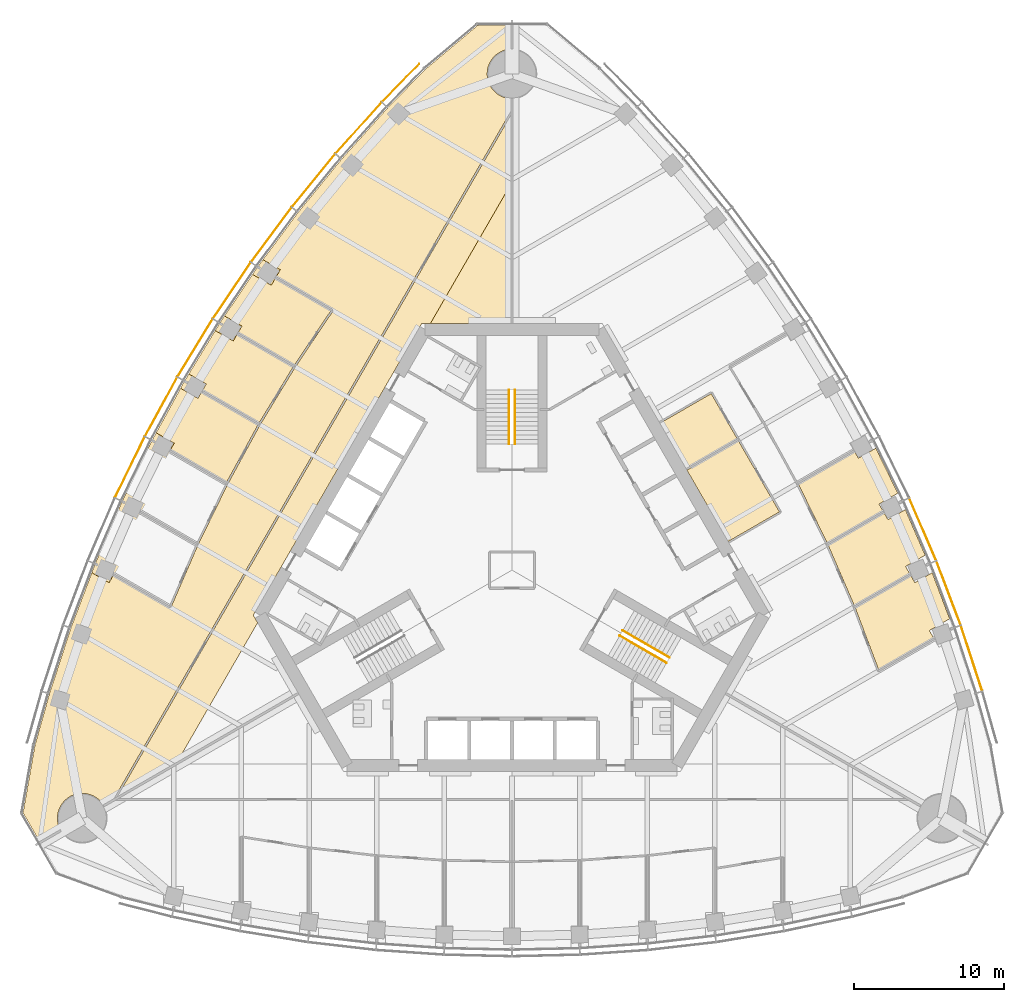
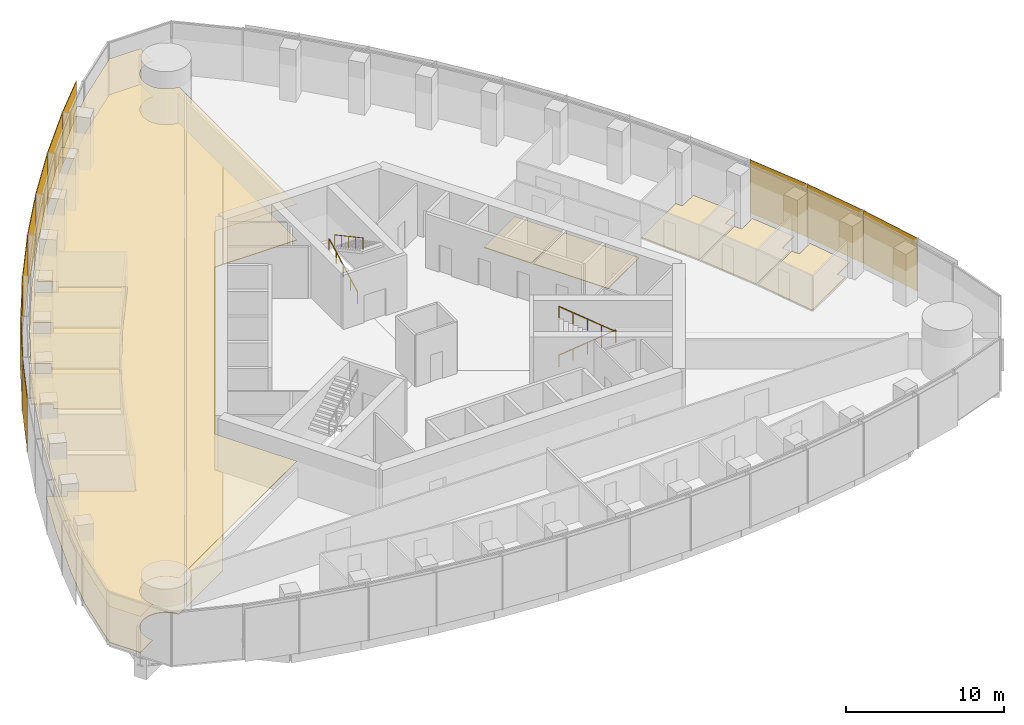
# One storey, part 17 of 20: 12 coverings, 11 shading devices, 4 railings.
"""IFC4 building model written with IfcOpenShell, lengths in metres."""

from ifc_helpers import new_model, si_unit, direction, frame, origin, origin_2d, place, context, subcontext, project, spatial, polyline, rectangle, circle, outline, extrude, material, layer, layer_set, type_object, element, save


model = new_model("IFC4")

# Units and contexts
model_context = context("Model", 3, precision=1e-05, world=origin(), true_north=direction((0.0, 1.0)))
body_context = subcontext(model_context, "Body", "Model", "MODEL_VIEW")
ifc_project = project(units=[si_unit("LENGTHUNIT", "METRE"), si_unit("AREAUNIT", "SQUARE_METRE"), si_unit("VOLUMEUNIT", "CUBIC_METRE"), si_unit("PLANEANGLEUNIT", "RADIAN"), si_unit("MASSUNIT", "GRAM", prefix="KILO")], contexts=[model_context])

# Site, building, storey
site_placement = place(None, origin())
site = spatial("IfcSite", under=ifc_project, at=site_placement, CompositionType="ELEMENT")
building_placement = place(site_placement, origin())
building = spatial("IfcBuilding", under=site, at=building_placement, Name="Trefoil Bronze Tower", CompositionType="ELEMENT")
storey_placement = place(building_placement, frame((0.0, 0.0, 214.89990234375)))
storey = spatial("IfcBuildingStorey", under=building, at=storey_placement, Name="L49", CompositionType="ELEMENT", Elevation=214.89990234375)

# Shading devices
ifc_material_1 = material(Name="Perforated bronze sheet", Category="bronze")
ifc_layer_1 = layer(ifc_material_1, 0.0400390625)
ifc_layer_set_1 = layer_set([ifc_layer_1], Name="Bronze solar screen panel")
shading_device_type = type_object("IfcShadingDeviceType", Name="Bronze solar screen panel", PredefinedType="SHUTTER", material=ifc_layer_set_1)
shading_device_1_placement = place(storey_placement, frame((30.5634765625, -5.86572265625, 0.050048828125), z_axis=(0.0, 0.0, 1.0), x_axis=(-0.310148591821, 0.950688093431, 0.0)))
element("IfcShadingDevice", 1, at=shading_device_1_placement, inside=storey, type_object=shading_device_type, Name="Solar screen CW-A L49 F2 bay 2", PredefinedType="SHUTTER", context=body_context, shape_type="SweptSolid", body=[
    extrude(rectangle(XDim=4.5693359375, YDim=0.0400390625, at=origin_2d()), origin(), (0.0, 0.0, 1.0), 4.10009765625),
])
shading_device_2_placement = place(storey_placement, frame((29.0341796875, -1.52392578125, 0.050048828125), z_axis=(0.0, 0.0, 1.0), x_axis=(-0.354233936517, 0.935156841508, 0.0)))
element("IfcShadingDevice", 2, at=shading_device_2_placement, inside=storey, type_object=shading_device_type, Name="Solar screen CW-A L49 F2 bay 3", PredefinedType="SHUTTER", context=body_context, shape_type="SweptSolid", body=[
    extrude(rectangle(XDim=4.529296875, YDim=0.0400390625, at=origin_2d()), origin(), (0.0, 0.0, 1.0), 4.10009765625),
])
shading_device_3_placement = place(storey_placement, frame((27.317626953125, 2.709716796875, 0.050048828125), z_axis=(0.0, 0.0, 1.0), x_axis=(-0.397220305764, 0.917723285467, 0.0)))
element("IfcShadingDevice", 3, at=shading_device_3_placement, inside=storey, type_object=shading_device_type, Name="Solar screen CW-A L49 F2 bay 4", PredefinedType="SHUTTER", context=body_context, shape_type="SweptSolid", body=[
    extrude(rectangle(XDim=4.5, YDim=0.0400390625, at=origin_2d()), origin(), (0.0, 0.0, 1.0), 4.10009765625),
])
shading_device_4_placement = place(storey_placement, frame((-7.40478515625, 32.40380859375, 0.050048828125), z_axis=(0.0, 0.0, 1.0), x_axis=(-0.698651812425, -0.715461840349, 0.0)))
element("IfcShadingDevice", 4, at=shading_device_4_placement, inside=storey, type_object=shading_device_type, Name="Solar screen CW-A L49 F3 bay 1", PredefinedType="SHUTTER", context=body_context, shape_type="SweptSolid", body=[
    extrude(rectangle(XDim=3.53369140625, YDim=0.0400390625, at=origin_2d()), origin(), (0.0, 0.0, 1.0), 4.10009765625),
])
shading_device_5_placement = place(storey_placement, frame((-10.20166015625, 29.401611328125, 0.050048828125), z_axis=(0.0, 0.0, 1.0), x_axis=(-0.668245744076, -0.743940606181, 0.0)))
element("IfcShadingDevice", 5, at=shading_device_5_placement, inside=storey, type_object=shading_device_type, Name="Solar screen CW-A L49 F3 bay 2", PredefinedType="SHUTTER", context=body_context, shape_type="SweptSolid", body=[
    extrude(rectangle(XDim=4.5693359375, YDim=0.0400390625, at=origin_2d()), origin(), (0.0, 0.0, 1.0), 4.10009765625),
])
shading_device_6_placement = place(storey_placement, frame((-13.197509765625, 25.90625, 0.050048828125), z_axis=(0.0, 0.0, 1.0), x_axis=(-0.63275261301, -0.774354008661, 0.0)))
element("IfcShadingDevice", 6, at=shading_device_6_placement, inside=storey, type_object=shading_device_type, Name="Solar screen CW-A L49 F3 bay 3", PredefinedType="SHUTTER", context=body_context, shape_type="SweptSolid", body=[
    extrude(rectangle(XDim=4.529296875, YDim=0.0400390625, at=origin_2d()), origin(), (0.0, 0.0, 1.0), 4.10009765625),
])
shading_device_7_placement = place(storey_placement, frame((-16.005615234375, 22.302734375, 0.050048828125), z_axis=(0.0, 0.0, 1.0), x_axis=(-0.596161525977, -0.802864518425, 0.0)))
element("IfcShadingDevice", 7, at=shading_device_7_placement, inside=storey, type_object=shading_device_type, Name="Solar screen CW-A L49 F3 bay 4", PredefinedType="SHUTTER", context=body_context, shape_type="SweptSolid", body=[
    extrude(rectangle(XDim=4.5, YDim=0.0400390625, at=origin_2d()), origin(), (0.0, 0.0, 1.0), 4.10009765625),
])
shading_device_8_placement = place(storey_placement, frame((-18.6298828125, 18.59326171875, 0.050048828125), z_axis=(0.0, 0.0, 1.0), x_axis=(-0.558493494706, -0.829508900718, 0.0)))
element("IfcShadingDevice", 8, at=shading_device_8_placement, inside=storey, type_object=shading_device_type, Name="Solar screen CW-A L49 F3 bay 5", PredefinedType="SHUTTER", context=body_context, shape_type="SweptSolid", body=[
    extrude(rectangle(XDim=4.480712890625, YDim=0.0400390625, at=origin_2d()), origin(), (0.0, 0.0, 1.0), 4.10009765625),
])
for number, where, z_axis, x_axis, name in (
    (9, (-21.07275390625, 14.77880859375, 0.050048828125), (0.0, 0.0, 1.0), (-0.519762112739, -0.854311035959, 0.0), "Solar screen CW-A L49 F3 bay 6"),
    (10, (-23.3349609375, 10.860107421875, 0.050048828125), (0.0, 0.0, 1.0), (-0.479974003504, -0.877282711536, 0.0), "Solar screen CW-A L49 F3 bay 7"),
):
    element("IfcShadingDevice", number, at=place(storey_placement, frame(where, z_axis=z_axis, x_axis=x_axis)), inside=storey, type_object=shading_device_type, Name=name, PredefinedType="SHUTTER", context=body_context, shape_type="SweptSolid", body=[
        extrude(rectangle(XDim=4.47119140625, YDim=0.0400390625, at=origin_2d()), origin(), (0.0, 0.0, 1.0), 4.10009765625),
    ])
shading_device_9_placement = place(storey_placement, frame((-25.4169921875, 6.83740234375, 0.050048828125), z_axis=(0.0, 0.0, 1.0), x_axis=(-0.439129033334, -0.898424004623, 0.0)))
element("IfcShadingDevice", 11, at=shading_device_9_placement, inside=storey, type_object=shading_device_type, Name="Solar screen CW-A L49 F3 bay 8", PredefinedType="SHUTTER", context=body_context, shape_type="SweptSolid", body=[
    extrude(rectangle(XDim=4.480712890625, YDim=0.0400390625, at=origin_2d()), origin(), (0.0, 0.0, 1.0), 4.10009765625),
])

# Railings
ifc_material_2 = material(Name="Steel handrail", Category="steel")
railing_type = type_object("IfcRailingType", Name="Handrail 900", PredefinedType="HANDRAIL", material=ifc_material_2)
railing_1_placement = place(storey_placement, frame((7.365966796875, -4.021728515625, 0.16162109375)))
element("IfcRailing", 12, at=railing_1_placement, inside=storey, type_object=railing_type, Name="Handrail ST1 flight 1 L49", PredefinedType="HANDRAIL", context=body_context, shape_type="SweptSolid", body=[
    extrude(circle(Radius=0.02392578125, at=origin_2d()), frame((0.0, 0.0, 0.8759765625), z_axis=(0.76250339821, -0.440245697338, 0.474101564745), x_axis=(0.500012057535, 0.866018442252, 0.0)), (0.0, 0.0, 1.0), 4.088623046875),
    extrude(circle(Radius=0.02099609375, at=origin_2d()), origin(), (0.0, 0.0, 1.0), 0.851806640625),
    extrude(circle(Radius=0.02099609375, at=origin_2d()), frame((0.779296875, -0.449951171875, 0.484619140625)), (0.0, 0.0, 1.0), 0.851806640625),
    extrude(circle(Radius=0.02099609375, at=origin_2d()), frame((1.558837890625, -0.89990234375, 0.96923828125)), (0.0, 0.0, 1.0), 0.851806640625),
    extrude(circle(Radius=0.02099609375, at=origin_2d()), frame((2.33837890625, -1.35009765625, 1.453857421875)), (0.0, 0.0, 1.0), 0.851806640625),
    extrude(circle(Radius=0.02099609375, at=origin_2d()), frame((3.11767578125, -1.800048828125, 1.9384765625)), (0.0, 0.0, 1.0), 0.851806640625),
])
railing_2_placement = place(storey_placement, frame((10.28369140625, -6.168212890625, 2.26171875)))
element("IfcRailing", 13, at=railing_2_placement, inside=storey, type_object=railing_type, Name="Handrail ST1 flight 2 L49", PredefinedType="HANDRAIL", context=body_context, shape_type="SweptSolid", body=[
    extrude(circle(Radius=0.02392578125, at=origin_2d()), frame((0.0, 0.0, 0.8759765625), z_axis=(-0.76250339821, 0.440245697338, 0.474101564745), x_axis=(-0.500012057535, -0.866018442252, 0.0)), (0.0, 0.0, 1.0), 4.088623046875),
    extrude(circle(Radius=0.02099609375, at=origin_2d()), origin(), (0.0, 0.0, 1.0), 0.851806640625),
    extrude(circle(Radius=0.02099609375, at=origin_2d()), frame((-0.779296875, 0.449951171875, 0.484619140625)), (0.0, 0.0, 1.0), 0.851806640625),
    extrude(circle(Radius=0.02099609375, at=origin_2d()), frame((-1.558837890625, 0.89990234375, 0.96923828125)), (0.0, 0.0, 1.0), 0.851806640625),
    extrude(circle(Radius=0.02099609375, at=origin_2d()), frame((-2.33837890625, 1.35009765625, 1.453857421875)), (0.0, 0.0, 1.0), 0.851806640625),
    extrude(circle(Radius=0.02099609375, at=origin_2d()), frame((-3.11767578125, 1.800048828125, 1.9384765625)), (0.0, 0.0, 1.0), 0.851806640625),
])
railing_3_placement = place(storey_placement, frame((-0.199951171875, 8.389892578125, 0.16162109375)))
element("IfcRailing", 14, at=railing_3_placement, inside=storey, type_object=railing_type, Name="Handrail ST2 flight 1 L49", PredefinedType="HANDRAIL", context=body_context, shape_type="SweptSolid", body=[
    extrude(circle(Radius=0.02392578125, at=origin_2d()), frame((0.0, 0.0, 0.8759765625), z_axis=(0.0, 0.880474934443, 0.474092701714), x_axis=(-1.0, 0.0, 0.0)), (0.0, 0.0, 1.0), 4.0888671875),
    extrude(circle(Radius=0.02099609375, at=origin_2d()), origin(), (0.0, 0.0, 1.0), 0.851806640625),
    extrude(circle(Radius=0.02099609375, at=origin_2d()), frame((0.0, 0.89990234375, 0.484619140625)), (0.0, 0.0, 1.0), 0.851806640625),
    extrude(circle(Radius=0.02099609375, at=origin_2d()), frame((0.0, 1.800048828125, 0.96923828125)), (0.0, 0.0, 1.0), 0.851806640625),
    extrude(circle(Radius=0.02099609375, at=origin_2d()), frame((0.0, 2.7001953125, 1.453857421875)), (0.0, 0.0, 1.0), 0.851806640625),
    extrude(circle(Radius=0.02099609375, at=origin_2d()), frame((0.0, 3.60009765625, 1.9384765625)), (0.0, 0.0, 1.0), 0.851806640625),
])
railing_4_placement = place(storey_placement, frame((0.199951171875, 11.989990234375, 2.26171875)))
element("IfcRailing", 15, at=railing_4_placement, inside=storey, type_object=railing_type, Name="Handrail ST2 flight 2 L49", PredefinedType="HANDRAIL", context=body_context, shape_type="SweptSolid", body=[
    extrude(circle(Radius=0.02392578125, at=origin_2d()), frame((0.0, 0.0, 0.8759765625), z_axis=(0.0, -0.880474934443, 0.474092701714), x_axis=(1.0, 0.0, 0.0)), (0.0, 0.0, 1.0), 4.0888671875),
    extrude(circle(Radius=0.02099609375, at=origin_2d()), origin(), (0.0, 0.0, 1.0), 0.851806640625),
    extrude(circle(Radius=0.02099609375, at=origin_2d()), frame((0.0, -0.89990234375, 0.484619140625)), (0.0, 0.0, 1.0), 0.851806640625),
    extrude(circle(Radius=0.02099609375, at=origin_2d()), frame((0.0, -1.800048828125, 0.96923828125)), (0.0, 0.0, 1.0), 0.851806640625),
    extrude(circle(Radius=0.02099609375, at=origin_2d()), frame((0.0, -2.7001953125, 1.453857421875)), (0.0, 0.0, 1.0), 0.851806640625),
    extrude(circle(Radius=0.02099609375, at=origin_2d()), frame((0.0, -3.60009765625, 1.9384765625)), (0.0, 0.0, 1.0), 0.851806640625),
])

# Coverings
ifc_material_3 = material(Name="Acoustic ceiling panels", Category="mineral fibre")
ifc_layer_2 = layer(ifc_material_3, 0.02001953125)
ifc_layer_set_2 = layer_set([ifc_layer_2], Name="Office ceiling 20")
covering_type_1 = type_object("IfcCoveringType", Name="Office ceiling 20", PredefinedType="CEILING", material=ifc_layer_set_2)
covering_1_placement = place(storey_placement, frame((0.0, 0.0, 2.900146484375)))
element("IfcCovering", 16, at=covering_1_placement, inside=storey, type_object=covering_type_1, Name="Ceiling L49 Open-plan office F3", PredefinedType="CEILING", context=body_context, shape_type="SweptSolid", body=[
    extrude(outline(polyline([(-30.76318359375, -8.219482421875), (-29.3369140625, -3.846923828125), (-27.7216796875, 0.416748046875), (-25.92236328125, 4.573974609375), (-23.94140625, 8.62646484375), (-21.781005859375, 12.5751953125), (-19.44140625, 16.420654296875), (-16.92236328125, 20.162353515625), (-14.2216796875, 23.79931640625), (-11.3369140625, 27.329833984375), (-8.26318359375, 30.751708984375), (-5.7734375, 33.30126953125), (-2.280029296875, 36.232666015625), (-0.013671875, 36.232666015625), (-0.012939453125, 34.649658203125), (-0.0810546875, 34.64794921875), (-0.16162109375, 34.64208984375), (-0.2421875, 34.632080078125), (-0.322021484375, 34.618408203125), (-0.40087890625, 34.6005859375), (-0.47900390625, 34.5791015625), (-0.555908203125, 34.553466796875), (-0.63134765625, 34.5244140625), (-0.70556640625, 34.49169921875), (-0.77783203125, 34.455078125), (-0.848388671875, 34.415283203125), (-0.916748046875, 34.371826171875), (-0.98291015625, 34.3251953125), (-1.046630859375, 34.275390625), (-1.108154296875, 34.22265625), (-1.166748046875, 34.166748046875), (-1.22265625, 34.108154296875), (-1.275390625, 34.046630859375), (-1.3251953125, 33.98291015625), (-1.371826171875, 33.916748046875), (-1.415283203125, 33.848388671875), (-1.455078125, 33.77783203125), (-1.49169921875, 33.70556640625), (-1.5244140625, 33.63134765625), (-1.553466796875, 33.555908203125), (-1.5791015625, 33.47900390625), (-1.6005859375, 33.40087890625), (-1.618408203125, 33.322021484375), (-1.632080078125, 33.2421875), (-1.64208984375, 33.16162109375), (-1.64794921875, 33.0810546875), (-1.64990234375, 33.0), (-1.64794921875, 32.9189453125), (-1.64208984375, 32.83837890625), (-1.632080078125, 32.7578125), (-1.618408203125, 32.677978515625), (-1.6005859375, 32.59912109375), (-1.5791015625, 32.52099609375), (-1.553466796875, 32.444091796875), (-1.5244140625, 32.36865234375), (-1.49169921875, 32.29443359375), (-1.455078125, 32.22216796875), (-1.415283203125, 32.151611328125), (-1.371826171875, 32.083251953125), (-1.3251953125, 32.01708984375), (-1.275390625, 31.953369140625), (-1.22265625, 31.891845703125), (-1.166748046875, 31.833251953125), (-1.108154296875, 31.77734375), (-1.046630859375, 31.724609375), (-0.98291015625, 31.6748046875), (-0.916748046875, 31.628173828125), (-0.848388671875, 31.584716796875), (-0.77783203125, 31.544921875), (-0.70556640625, 31.50830078125), (-0.63134765625, 31.4755859375), (-0.555908203125, 31.446533203125), (-0.47900390625, 31.4208984375), (-0.40087890625, 31.3994140625), (-0.322021484375, 31.381591796875), (-0.2421875, 31.367919921875), (-0.16162109375, 31.35791015625), (-0.0810546875, 31.35205078125), (-0.01171875, 31.350341796875), (-0.006103515625, 16.39990234375), (-6.00439453125, 16.39990234375), (-17.205078125, -3.0), (-14.205810546875, -8.194580078125), (-27.156005859375, -15.6650390625), (-27.206787109375, -15.583251953125), (-27.25341796875, -15.51708984375), (-27.303466796875, -15.453369140625), (-27.356201171875, -15.391845703125), (-27.412109375, -15.333251953125), (-27.470703125, -15.27734375), (-27.531982421875, -15.224609375), (-27.595947265625, -15.1748046875), (-27.662109375, -15.128173828125), (-27.730712890625, -15.084716796875), (-27.801025390625, -15.044921875), (-27.873291015625, -15.00830078125), (-27.947509765625, -14.9755859375), (-28.02294921875, -14.946533203125), (-28.099853515625, -14.9208984375), (-28.177978515625, -14.8994140625), (-28.2568359375, -14.881591796875), (-28.336669921875, -14.867919921875), (-28.4169921875, -14.85791015625), (-28.497802734375, -14.85205078125), (-28.578857421875, -14.85009765625), (-28.659912109375, -14.85205078125), (-28.740478515625, -14.85791015625), (-28.82080078125, -14.867919921875), (-28.900634765625, -14.881591796875), (-28.979736328125, -14.8994140625), (-29.057861328125, -14.9208984375), (-29.134765625, -14.946533203125), (-29.210205078125, -14.9755859375), (-29.2841796875, -15.00830078125), (-29.356689453125, -15.044921875), (-29.427001953125, -15.084716796875), (-29.49560546875, -15.128173828125), (-29.561767578125, -15.1748046875), (-29.62548828125, -15.224609375), (-29.68701171875, -15.27734375), (-29.74560546875, -15.333251953125), (-29.801513671875, -15.391845703125), (-29.854248046875, -15.453369140625), (-29.904052734375, -15.51708984375), (-29.95068359375, -15.583251953125), (-29.994140625, -15.651611328125), (-30.033935546875, -15.72216796875), (-30.0703125, -15.79443359375), (-30.103271484375, -15.86865234375), (-30.13232421875, -15.944091796875), (-30.15771484375, -16.02099609375), (-30.179443359375, -16.09912109375), (-30.197021484375, -16.177978515625), (-30.2109375, -16.2578125), (-30.220947265625, -16.33837890625), (-30.226806640625, -16.4189453125), (-30.228759765625, -16.5), (-30.226806640625, -16.5810546875), (-30.220947265625, -16.66162109375), (-30.2109375, -16.7421875), (-30.197021484375, -16.822021484375), (-30.179443359375, -16.90087890625), (-30.15771484375, -16.97900390625), (-30.13232421875, -17.055908203125), (-30.103271484375, -17.13134765625), (-30.0703125, -17.20556640625), (-30.033935546875, -17.27783203125), (-30.013916015625, -17.3134765625), (-31.385009765625, -18.1044921875), (-32.518310546875, -16.1416015625), (-31.7265625, -11.650634765625), (-30.76318359375, -8.219482421875)])), origin(), (0.0, 0.0, 1.0), 0.02001953125),
])
ifc_material_4 = material(Name="Raised access floor panels", Category="steel")
ifc_layer_3 = layer(ifc_material_4, 0.050048828125)
ifc_layer_set_3 = layer_set([ifc_layer_3], Name="Raised access floor 150")
covering_type_2 = type_object("IfcCoveringType", Name="Raised access floor 150", PredefinedType="FLOORING", material=ifc_layer_set_3)
covering_2_placement = place(storey_placement, frame((0.0, 0.0, 0.10009765625)))
element("IfcCovering", 17, at=covering_2_placement, inside=storey, type_object=covering_type_2, Name="Raised floor L49 Meeting room F2", PredefinedType="FLOORING", context=body_context, shape_type="SweptSolid", body=[
    extrude(outline(polyline([(11.634765625, 6.64794921875), (15.046875, 8.617919921875), (17.786865234375, 3.872314453125), (14.374755859375, 1.902099609375), (11.634765625, 6.64794921875)])), origin(), (0.0, 0.0, 1.0), 0.050048828125),
])
covering_3_placement = place(storey_placement, frame((0.0, 0.0, 0.10009765625)))
element("IfcCovering", 18, at=covering_3_placement, inside=storey, type_object=covering_type_2, Name="Raised floor L49 Meeting room F2", PredefinedType="FLOORING", context=body_context, shape_type="SweptSolid", body=[
    extrude(outline(polyline([(9.834716796875, 9.765625), (13.246826171875, 11.735595703125), (14.98681640625, 8.721923828125), (11.57470703125, 6.751953125), (9.834716796875, 9.765625)])), origin(), (0.0, 0.0, 1.0), 0.050048828125),
])
covering_4_placement = place(storey_placement, frame((0.0, 0.0, 0.10009765625)))
element("IfcCovering", 19, at=covering_4_placement, inside=storey, type_object=covering_type_2, Name="Raised floor L49 Office F2", PredefinedType="FLOORING", context=body_context, shape_type="SweptSolid", body=[
    extrude(outline(polyline([(24.677490234375, 3.924560546875), (20.968505859375, 1.783203125), (19.040283203125, 5.7275390625), (22.775146484375, 7.8837890625), (22.7451171875, 7.935791015625), (22.74951171875, 7.938232421875), (23.037353515625, 7.439697265625), (24.195068359375, 8.10791015625), (25.658447265625, 5.11376953125), (24.407958984375, 4.3916015625), (24.677490234375, 3.924560546875)])), origin(), (0.0, 0.0, 1.0), 0.050048828125),
])
covering_5_placement = place(storey_placement, frame((0.0, 0.0, 0.10009765625)))
element("IfcCovering", 20, at=covering_5_placement, inside=storey, type_object=covering_type_2, Name="Raised floor L49 Office F2", PredefinedType="FLOORING", context=body_context, shape_type="SweptSolid", body=[
    extrude(outline(polyline([(26.453857421875, -0.24609375), (22.7705078125, -2.372802734375), (21.01904296875, 1.673583984375), (24.737548828125, 3.820556640625), (25.007080078125, 3.353515625), (26.162109375, 4.020263671875), (27.47314453125, 0.990966796875), (26.173095703125, 0.240478515625), (26.453857421875, -0.24609375)])), origin(), (0.0, 0.0, 1.0), 0.050048828125),
])
covering_6_placement = place(storey_placement, frame((0.0, 0.0, 0.10009765625)))
element("IfcCovering", 21, at=covering_6_placement, inside=storey, type_object=covering_type_2, Name="Raised floor L49 Office F2", PredefinedType="FLOORING", context=body_context, shape_type="SweptSolid", body=[
    extrude(outline(polyline([(28.045166015625, -4.5234375), (24.38818359375, -6.634765625), (22.81640625, -2.48486328125), (26.513916015625, -0.35009765625), (26.794677734375, -0.83642578125), (27.94482421875, -0.17236328125), (29.106201171875, -3.23779296875), (27.75390625, -4.0185546875), (28.045166015625, -4.5234375)])), origin(), (0.0, 0.0, 1.0), 0.050048828125),
])
covering_7_placement = place(storey_placement, frame((0.0, 0.0, 0.10009765625)))
element("IfcCovering", 22, at=covering_7_placement, inside=storey, type_object=covering_type_2, Name="Raised floor L49 Office F3", PredefinedType="FLOORING", context=body_context, shape_type="SweptSolid", body=[
    extrude(outline(polyline([(-15.737548828125, 19.4091796875), (-12.0283203125, 17.267578125), (-14.48046875, 13.625732421875), (-18.215087890625, 15.781982421875), (-18.2451171875, 15.72998046875), (-18.24951171875, 15.732421875), (-17.96142578125, 16.23095703125), (-19.119140625, 16.8994140625), (-17.2578125, 19.6640625), (-16.007080078125, 18.94189453125), (-15.737548828125, 19.4091796875)])), origin(), (0.0, 0.0, 1.0), 0.050048828125),
])
covering_8_placement = place(storey_placement, frame((0.0, 0.0, 0.10009765625)))
element("IfcCovering", 23, at=covering_8_placement, inside=storey, type_object=covering_type_2, Name="Raised floor L49 Office F3", PredefinedType="FLOORING", context=body_context, shape_type="SweptSolid", body=[
    extrude(outline(polyline([(-18.2451171875, 15.72998046875), (-18.275146484375, 15.677978515625), (-14.545166015625, 13.5244140625), (-16.822265625, 9.781494140625), (-20.555908203125, 11.937255859375), (-20.5859375, 11.88525390625), (-20.611083984375, 11.89990234375), (-20.335693359375, 12.376953125), (-21.49462890625, 13.046142578125), (-19.740966796875, 15.9287109375), (-18.537353515625, 15.23388671875), (-18.24951171875, 15.732421875), (-18.2451171875, 15.72998046875)])), origin(), (0.0, 0.0, 1.0), 0.050048828125),
])
covering_9_placement = place(storey_placement, frame((0.0, 0.0, 0.10009765625)))
element("IfcCovering", 24, at=covering_9_placement, inside=storey, type_object=covering_type_2, Name="Raised floor L49 Office F3", PredefinedType="FLOORING", context=body_context, shape_type="SweptSolid", body=[
    extrude(outline(polyline([(-20.5859375, 11.88525390625), (-20.615966796875, 11.83349609375), (-16.882080078125, 9.677734375), (-18.985107421875, 5.834228515625), (-22.715087890625, 7.98779296875), (-22.7451171875, 7.935791015625), (-22.74951171875, 7.938232421875), (-22.46142578125, 8.436767578125), (-23.6650390625, 9.131591796875), (-22.045654296875, 12.091796875), (-20.88671875, 11.422607421875), (-20.611083984375, 11.89990234375), (-20.5859375, 11.88525390625)])), origin(), (0.0, 0.0, 1.0), 0.050048828125),
])
covering_10_placement = place(storey_placement, frame((0.0, 0.0, 0.10009765625)))
element("IfcCovering", 25, at=covering_10_placement, inside=storey, type_object=covering_type_2, Name="Raised floor L49 Corridor F3", PredefinedType="FLOORING", context=body_context, shape_type="SweptSolid", body=[
    extrude(outline(polyline([(-26.31591796875, -15.180419921875), (-0.011474609375, 30.38037109375), (-0.009765625, 25.783203125), (-5.427001953125, 16.39990234375), (-6.00439453125, 16.39990234375), (-17.205078125, -3.0), (-16.91650390625, -3.5), (-22.333740234375, -12.88330078125), (-26.31591796875, -15.180419921875)])), origin(), (0.0, 0.0, 1.0), 0.050048828125),
])
covering_11_placement = place(storey_placement, frame((0.0, 0.0, 0.10009765625)))
element("IfcCovering", 26, at=covering_11_placement, inside=storey, type_object=covering_type_2, Name="Raised floor L49 Open-plan office F3", PredefinedType="FLOORING", context=body_context, shape_type="SweptSolid", body=[
    extrude(outline(polyline([(-30.76318359375, -8.219482421875), (-29.3369140625, -3.846923828125), (-27.94482421875, -0.17236328125), (-26.794677734375, -0.83642578125), (-26.513916015625, -0.35009765625), (-22.772216796875, -2.51025390625), (-22.7421875, -2.458251953125), (-22.68701171875, -2.482177734375), (-20.88818359375, 1.673828125), (-18.90869140625, 5.723876953125), (-16.74951171875, 9.67041015625), (-14.411376953125, 13.513427734375), (-11.892822265625, 17.25390625), (-11.942626953125, 17.287353515625), (-11.91259765625, 17.33935546875), (-15.677490234375, 19.512939453125), (-15.407958984375, 19.97998046875), (-16.562744140625, 20.646728515625), (-14.2216796875, 23.79931640625), (-11.3369140625, 27.329833984375), (-8.26318359375, 30.751708984375), (-5.7734375, 33.30126953125), (-2.280029296875, 36.232666015625), (-0.013671875, 36.232666015625), (-0.012939453125, 34.649658203125), (-0.0810546875, 34.64794921875), (-0.16162109375, 34.64208984375), (-0.2421875, 34.632080078125), (-0.322021484375, 34.618408203125), (-0.40087890625, 34.6005859375), (-0.47900390625, 34.5791015625), (-0.555908203125, 34.553466796875), (-0.63134765625, 34.5244140625), (-0.70556640625, 34.49169921875), (-0.77783203125, 34.455078125), (-0.848388671875, 34.415283203125), (-0.916748046875, 34.371826171875), (-0.98291015625, 34.3251953125), (-1.046630859375, 34.275390625), (-1.108154296875, 34.22265625), (-1.166748046875, 34.166748046875), (-1.22265625, 34.108154296875), (-1.275390625, 34.046630859375), (-1.3251953125, 33.98291015625), (-1.371826171875, 33.916748046875), (-1.415283203125, 33.848388671875), (-1.455078125, 33.77783203125), (-1.49169921875, 33.70556640625), (-1.5244140625, 33.63134765625), (-1.553466796875, 33.555908203125), (-1.5791015625, 33.47900390625), (-1.6005859375, 33.40087890625), (-1.618408203125, 33.322021484375), (-1.632080078125, 33.2421875), (-1.64208984375, 33.16162109375), (-1.64794921875, 33.0810546875), (-1.64990234375, 33.0), (-1.64794921875, 32.9189453125), (-1.64208984375, 32.83837890625), (-1.632080078125, 32.7578125), (-1.618408203125, 32.677978515625), (-1.6005859375, 32.59912109375), (-1.5791015625, 32.52099609375), (-1.553466796875, 32.444091796875), (-1.5244140625, 32.36865234375), (-1.49169921875, 32.29443359375), (-1.455078125, 32.22216796875), (-1.415283203125, 32.151611328125), (-1.371826171875, 32.083251953125), (-1.3251953125, 32.01708984375), (-1.275390625, 31.953369140625), (-1.22265625, 31.891845703125), (-1.166748046875, 31.833251953125), (-1.108154296875, 31.77734375), (-1.046630859375, 31.724609375), (-0.98291015625, 31.6748046875), (-0.916748046875, 31.628173828125), (-0.848388671875, 31.584716796875), (-0.77783203125, 31.544921875), (-0.70556640625, 31.50830078125), (-0.63134765625, 31.4755859375), (-0.555908203125, 31.446533203125), (-0.47900390625, 31.4208984375), (-0.40087890625, 31.3994140625), (-0.322021484375, 31.381591796875), (-0.2421875, 31.367919921875), (-0.16162109375, 31.35791015625), (-0.0810546875, 31.35205078125), (-0.01171875, 31.350341796875), (-0.011474609375, 30.488525390625), (-0.068359375, 30.521484375), (-26.466552734375, -15.201416015625), (-26.40966796875, -15.234375), (-27.156005859375, -15.6650390625), (-27.206787109375, -15.583251953125), (-27.25341796875, -15.51708984375), (-27.303466796875, -15.453369140625), (-27.356201171875, -15.391845703125), (-27.412109375, -15.333251953125), (-27.470703125, -15.27734375), (-27.531982421875, -15.224609375), (-27.595947265625, -15.1748046875), (-27.662109375, -15.128173828125), (-27.730712890625, -15.084716796875), (-27.801025390625, -15.044921875), (-27.873291015625, -15.00830078125), (-27.947509765625, -14.9755859375), (-28.02294921875, -14.946533203125), (-28.099853515625, -14.9208984375), (-28.177978515625, -14.8994140625), (-28.2568359375, -14.881591796875), (-28.336669921875, -14.867919921875), (-28.4169921875, -14.85791015625), (-28.497802734375, -14.85205078125), (-28.578857421875, -14.85009765625), (-28.659912109375, -14.85205078125), (-28.740478515625, -14.85791015625), (-28.82080078125, -14.867919921875), (-28.900634765625, -14.881591796875), (-28.979736328125, -14.8994140625), (-29.057861328125, -14.9208984375), (-29.134765625, -14.946533203125), (-29.210205078125, -14.9755859375), (-29.2841796875, -15.00830078125), (-29.356689453125, -15.044921875), (-29.427001953125, -15.084716796875), (-29.49560546875, -15.128173828125), (-29.561767578125, -15.1748046875), (-29.62548828125, -15.224609375), (-29.68701171875, -15.27734375), (-29.74560546875, -15.333251953125), (-29.801513671875, -15.391845703125), (-29.854248046875, -15.453369140625), (-29.904052734375, -15.51708984375), (-29.95068359375, -15.583251953125), (-29.994140625, -15.651611328125), (-30.033935546875, -15.72216796875), (-30.0703125, -15.79443359375), (-30.103271484375, -15.86865234375), (-30.13232421875, -15.944091796875), (-30.15771484375, -16.02099609375), (-30.179443359375, -16.09912109375), (-30.197021484375, -16.177978515625), (-30.2109375, -16.2578125), (-30.220947265625, -16.33837890625), (-30.226806640625, -16.4189453125), (-30.228759765625, -16.5), (-30.226806640625, -16.5810546875), (-30.220947265625, -16.66162109375), (-30.2109375, -16.7421875), (-30.197021484375, -16.822021484375), (-30.179443359375, -16.90087890625), (-30.15771484375, -16.97900390625), (-30.13232421875, -17.055908203125), (-30.103271484375, -17.13134765625), (-30.0703125, -17.20556640625), (-30.033935546875, -17.27783203125), (-30.013916015625, -17.3134765625), (-31.385009765625, -18.1044921875), (-32.518310546875, -16.1416015625), (-31.7265625, -11.650634765625), (-30.76318359375, -8.219482421875)])), origin(), (0.0, 0.0, 1.0), 0.050048828125),
])
covering_12_placement = place(storey_placement, frame((0.0, 0.0, 0.10009765625)))
element("IfcCovering", 27, at=covering_12_placement, inside=storey, type_object=covering_type_2, Name="Raised floor L49 Open-plan office F3", PredefinedType="FLOORING", context=body_context, shape_type="SweptSolid", body=[
    extrude(outline(polyline([(-0.009765625, 25.783203125), (-0.006103515625, 16.39990234375), (-5.427001953125, 16.39990234375), (-0.009765625, 25.783203125)])), origin(), (0.0, 0.0, 1.0), 0.050048828125),
])

save(model, "model.ifc")
